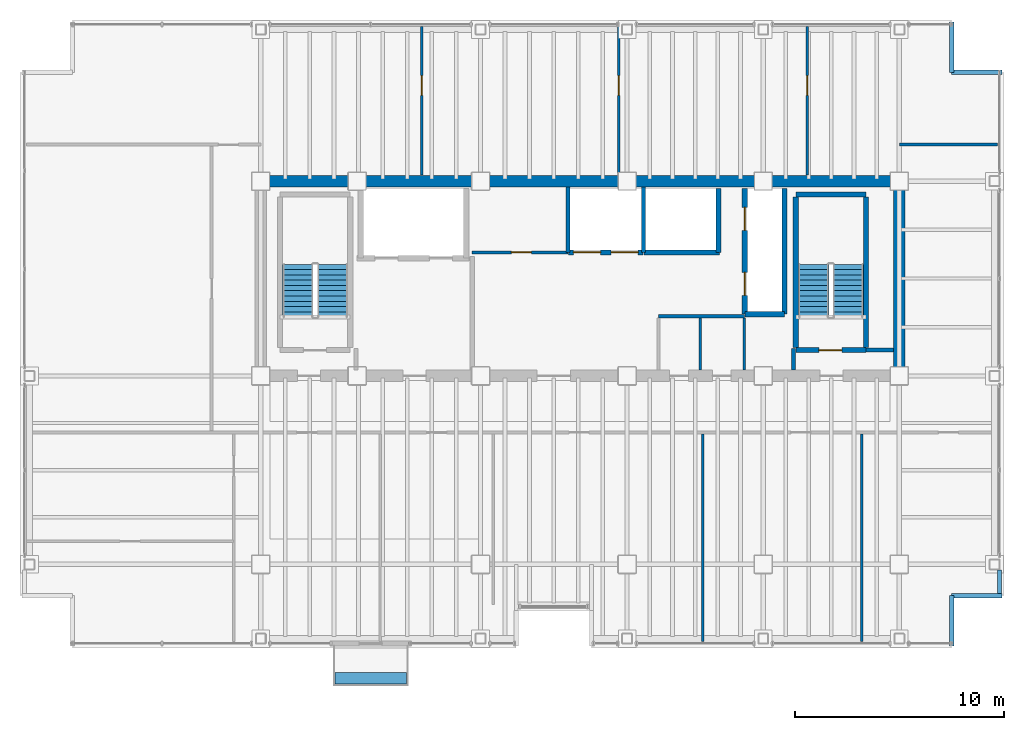
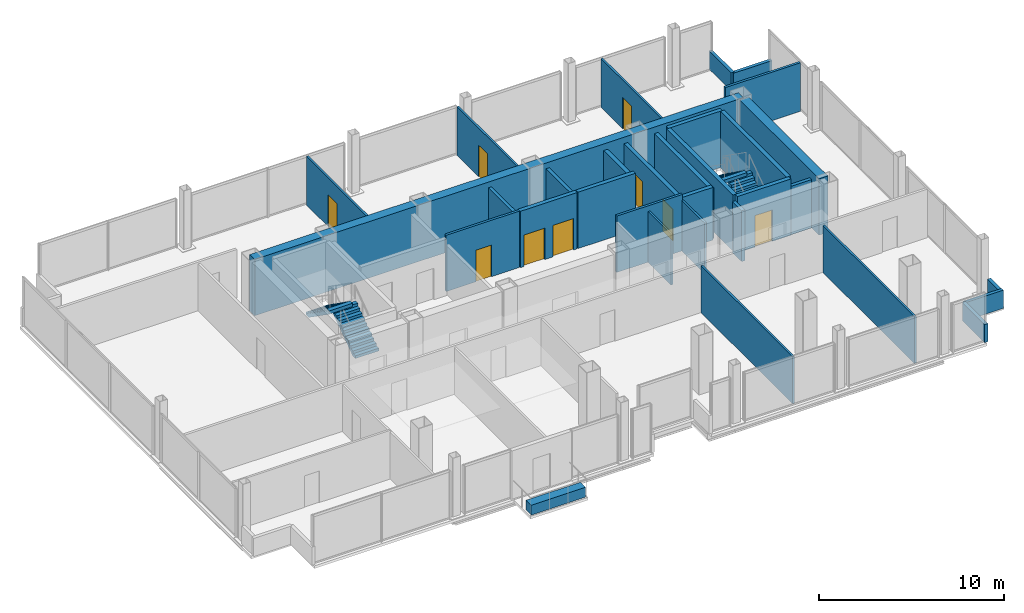
# One storey, part 17 of 18: 31 walls, 9 doors, 4 stair flights, 1 discrete accessory, 9 openings, 2 elements without a shape of their own.
"""IFC4 building model written with IfcOpenShell, lengths in metres."""

from ifc_helpers import new_model, si_unit, direction, frame, frame_2d, origin, origin_2d, place, context, subcontext, project, spatial, polyline, rectangle, outline, extrude, material, layer, layer_set, type_object, element, fill, aggregate, save


model = new_model("IFC4")

# Units and contexts
model_context = context("Model", 3, precision=1e-05, world=origin(), true_north=direction((0.0, 1.0)))
body_context = subcontext(model_context, "Body", "Model", "MODEL_VIEW")
ifc_project = project(units=[si_unit("LENGTHUNIT", "METRE"), si_unit("AREAUNIT", "SQUARE_METRE"), si_unit("VOLUMEUNIT", "CUBIC_METRE"), si_unit("PLANEANGLEUNIT", "RADIAN"), si_unit("MASSUNIT", "GRAM", prefix="KILO")], contexts=[model_context])

# Site, building, storey
site_placement = place(None, origin())
site = spatial("IfcSite", under=ifc_project, at=site_placement, CompositionType="ELEMENT")
building_placement = place(site_placement, origin())
building = spatial("IfcBuilding", under=site, at=building_placement, Name="Noeulbin Bourse Tower", CompositionType="ELEMENT")
storey_placement = place(building_placement, frame((0.0, 0.0, 161.699951171875)))
storey = spatial("IfcBuildingStorey", under=building, at=storey_placement, Name="L40", CompositionType="ELEMENT", Elevation=161.699951171875)

# Walls
ifc_material_1 = material(Name="Concrete C60/75", Category="concrete")
ifc_layer_1 = layer(ifc_material_1, 0.550048828125)
ifc_layer_set_1 = layer_set([ifc_layer_1], Name="Concrete C60/75")
wall_type_1 = type_object("IfcWallType", Name="WAL-CORE-550", PredefinedType="SHEAR", material=ifc_layer_set_1)
wall_1_placement = place(storey_placement, frame((13.5, 38.300048828125, 0.0), z_axis=(0.0, 0.0, 1.0), x_axis=(1.0, 0.0, 0.0)))
element("IfcWall", 1, at=wall_1_placement, inside=storey, type_object=wall_type_1, Name="Rear Core North Shear Wall L40", PredefinedType="SHEAR", context=body_context, shape_type="SweptSolid", body=[
    extrude(rectangle(XDim=30.5, YDim=0.550048828125, at=frame_2d((15.25, 0.0))), origin(), (0.0, 0.0, 1.0), 3.719970703125),
])
wall_2_placement = place(storey_placement, frame((44.0, 29.35009765625, 0.0), z_axis=(0.0, 0.0, 1.0), x_axis=(0.0, 1.0, 0.0)))
element("IfcWall", 2, at=wall_2_placement, inside=storey, type_object=wall_type_1, Name="Rear Core East Shear Wall L40", PredefinedType="SHEAR", context=body_context, shape_type="SweptSolid", body=[
    extrude(rectangle(XDim=8.599853515625, YDim=0.550048828125, at=frame_2d((4.2998046875, 0.0))), origin(), (0.0, 0.0, 1.0), 3.719970703125),
])
ifc_material_2 = material(Name="Concrete C40/50", Category="concrete")
ifc_layer_2 = layer(ifc_material_2, 0.199951171875)
ifc_layer_set_2 = layer_set([ifc_layer_2], Name="Concrete C40/50")
wall_type_2 = type_object("IfcWallType", Name="WAL-FIRE-200", PredefinedType="STANDARD", material=ifc_layer_set_2)
wall_3_placement = place(storey_placement, frame((42.39990234375, 30.239990234375, 0.0), z_axis=(0.0, 0.0, 1.0), x_axis=(1.0, 0.0, 0.0)))
element("IfcWall", 3, at=wall_3_placement, inside=storey, type_object=wall_type_2, Name="Interior Partition Wall L40-01", PredefinedType="STANDARD", context=body_context, shape_type="SweptSolid", body=[
    extrude(rectangle(XDim=1.315185546875, YDim=0.199951171875, at=frame_2d((0.65771484375, 0.0))), origin(), (0.0, 0.0, 1.0), 3.199951171875),
])
wall_4_placement = place(storey_placement, frame((38.949951171875, 29.284912109375, 0.0), z_axis=(0.0, 0.0, 1.0), x_axis=(0.0, 1.0, 0.0)))
element("IfcWall", 4, at=wall_4_placement, inside=storey, type_object=wall_type_2, Name="Interior Partition Wall L40-09", PredefinedType="STANDARD", context=body_context, shape_type="SweptSolid", body=[
    extrude(rectangle(XDim=1.01513671875, YDim=0.199951171875, at=frame_2d((0.507568359375, 0.0))), origin(), (0.0, 0.0, 1.0), 3.35009765625),
])
ifc_layer_3 = layer(ifc_material_2, 0.199951171875)
ifc_layer_set_3 = layer_set([ifc_layer_3], Name="Concrete C40/50")
wall_type_3 = type_object("IfcWallType", Name="WAL-PAR-200", PredefinedType="PARAPET", material=ifc_layer_set_3)
wall_5_placement = place(storey_placement, frame((48.780029296875, 18.60009765625, 0.0), z_axis=(0.0, 0.0, 1.0), x_axis=(0.0, 1.0, 0.0)))
element("IfcWall", 5, at=wall_5_placement, inside=storey, type_object=wall_type_3, Name="Perimeter Pier Spandrel Parapet L40-E2", PredefinedType="PARAPET", context=body_context, shape_type="SweptSolid", body=[
    extrude(rectangle(XDim=1.1298828125, YDim=0.199951171875, at=frame_2d((0.56494140625, 0.0))), origin(), (0.0, 0.0, 1.0), 1.199951171875),
])
for number, where, z_axis, x_axis, name in (
    (6, (46.5, 16.10009765625, 0.0), (0.0, 0.0, 1.0), (0.0, 1.0, 0.0), "Corner Notch Parapet L40-SE1"),
    (7, (46.5, 18.5, 0.0), (0.0, 0.0, 1.0), (1.0, 0.0, 0.0), "Corner Notch Parapet L40-SE2"),
    (8, (46.5, 45.89990234375, 0.0), (0.0, 0.0, 1.0), (0.0, -1.0, 0.0), "Corner Notch Parapet L40-NE1"),
    (9, (46.5, 43.5, 0.0), (0.0, 0.0, 1.0), (1.0, 0.0, 0.0), "Corner Notch Parapet L40-NE2"),
):
    element("IfcWall", number, at=place(storey_placement, frame(where, z_axis=z_axis, x_axis=x_axis)), inside=storey, type_object=wall_type_3, Name=name, PredefinedType="PARAPET", context=body_context, shape_type="SweptSolid", body=[
        extrude(rectangle(XDim=2.39990234375, YDim=0.199951171875, at=frame_2d((1.199951171875, 0.0))), origin(), (0.0, 0.0, 1.0), 1.199951171875),
    ])
ifc_material_3 = material(Name="Steel Stud Gypsum Partition", Category="steel")
ifc_layer_4 = layer(ifc_material_3, 0.1201171875)
ifc_layer_set_4 = layer_set([ifc_layer_4], Name="Steel Stud Gypsum Partition")
wall_type_4 = type_object("IfcWallType", Name="WAL-PRT-120", PredefinedType="PARTITIONING", material=ifc_layer_set_4)
for number, where, z_axis, x_axis, name in (
    (10, (36.60009765625, 29.284912109375, 0.0), (0.0, 0.0, 1.0), (0.0, 1.0, 0.0), "Interior Partition Wall L40-12"),
    (11, (34.5, 29.284912109375, 0.0), (0.0, 0.0, 1.0), (0.0, 1.0, 0.0), "Interior Partition Wall L40-13"),
):
    element("IfcWall", number, at=place(storey_placement, frame(where, z_axis=z_axis, x_axis=x_axis)), inside=storey, type_object=wall_type_4, Name=name, PredefinedType="PARTITIONING", context=body_context, shape_type="SweptSolid", body=[
        extrude(rectangle(XDim=2.47998046875, YDim=0.1201171875, at=frame_2d((1.239990234375, 0.0))), origin(), (0.0, 0.0, 1.0), 3.35009765625),
    ])
for number, where, z_axis, x_axis, name in (
    (12, (34.60009765625, 16.31005859375, 0.0), (0.0, 0.0, 1.0), (0.0, 1.0, 0.0), "Interior Partition Wall L40-18"),
    (13, (42.199951171875, 16.31005859375, 0.0), (0.0, 0.0, 1.0), (0.0, 1.0, 0.0), "Interior Partition Wall L40-19"),
):
    element("IfcWall", number, at=place(storey_placement, frame(where, z_axis=z_axis, x_axis=x_axis)), inside=storey, type_object=wall_type_4, Name=name, PredefinedType="PARTITIONING", context=body_context, shape_type="SweptSolid", body=[
        extrude(rectangle(XDim=9.905029296875, YDim=0.1201171875, at=frame_2d((4.95263671875, 0.0))), origin(), (0.0, 0.0, 1.0), 3.10009765625),
    ])

# Wall, opening, door
wall_6_placement = place(storey_placement, frame((21.199951171875, 38.5849609375, 0.0), z_axis=(0.0, 0.0, 1.0), x_axis=(0.0, 1.0, 0.0)))
wall_6 = element("IfcWall", 14, at=wall_6_placement, inside=storey, type_object=wall_type_4, Name="Interior Partition Wall L40-20", PredefinedType="PARTITIONING", context=body_context, shape_type="SweptSolid", body=[
    extrude(rectangle(XDim=7.10498046875, YDim=0.1201171875, at=frame_2d((3.552490234375, 0.0))), origin(), (0.0, 0.0, 1.0), 3.212158203125),
])
opening_1_placement = place(wall_6_placement, frame((3.81005859375, 0.0, 0.0)))
opening_1 = element("IfcOpeningElement", 15, at=opening_1_placement, cuts=wall_6, Name="Opening ID-09", PredefinedType="OPENING", context=body_context, shape_type="SweptSolid", body=[
    extrude(rectangle(XDim=0.949951171875, YDim=2.080078125, at=frame_2d((0.47509765625, 1.0400390625))), frame((0.0, 0.070068359375, 0.0), z_axis=(0.0, -1.0, 0.0), x_axis=(1.0, 0.0, 0.0)), (0.0, 0.0, 1.0), 0.14013671875),
])
ifc_material_4 = material(Name="Acoustic Solid-Core Timber", Category="wood")
door_type_1 = type_object("IfcDoorType", Name="DR-SINGLE-950", OperationType="SINGLE_SWING_LEFT", PredefinedType="DOOR", material=ifc_material_4)
door_1_placement = place(opening_1_placement, origin())
door_1 = element("IfcDoor", 16, at=door_1_placement, inside=storey, type_object=door_type_1, Name="Interior Door L40-17", OperationType="SINGLE_SWING_RIGHT", OverallHeight=2.080078125, OverallWidth=0.949951171875, PredefinedType="DOOR", context=body_context, shape_type="SweptSolid", body=[
    extrude(rectangle(XDim=0.949951171875, YDim=2.080078125, at=frame_2d((0.47509765625, 1.0400390625))), frame((0.0, 0.02490234375, 0.0), z_axis=(0.0, -1.0, 0.0), x_axis=(1.0, 0.0, 0.0)), (0.0, 0.0, 1.0), 0.050048828125),
])
fill(opening_1, door_1)

wall_7_placement = place(storey_placement, frame((30.60009765625, 38.5849609375, 0.0), z_axis=(0.0, 0.0, 1.0), x_axis=(0.0, 1.0, 0.0)))
wall_7 = element("IfcWall", 17, at=wall_7_placement, inside=storey, type_object=wall_type_4, Name="Interior Partition Wall L40-21", PredefinedType="PARTITIONING", context=body_context, shape_type="SweptSolid", body=[
    extrude(rectangle(XDim=7.10498046875, YDim=0.1201171875, at=frame_2d((3.552490234375, 0.0))), origin(), (0.0, 0.0, 1.0), 3.199951171875),
])
opening_2_placement = place(wall_7_placement, frame((3.81005859375, 0.0, 0.0)))
opening_2 = element("IfcOpeningElement", 18, at=opening_2_placement, cuts=wall_7, Name="Opening ID-09", PredefinedType="OPENING", context=body_context, shape_type="SweptSolid", body=[
    extrude(rectangle(XDim=0.949951171875, YDim=2.080078125, at=frame_2d((0.47509765625, 1.0400390625))), frame((0.0, 0.070068359375, 0.0), z_axis=(0.0, -1.0, 0.0), x_axis=(1.0, 0.0, 0.0)), (0.0, 0.0, 1.0), 0.14013671875),
])
door_2_placement = place(opening_2_placement, origin())
door_2 = element("IfcDoor", 19, at=door_2_placement, inside=storey, type_object=door_type_1, Name="Interior Door L40-18", OperationType="SINGLE_SWING_LEFT", OverallHeight=2.080078125, OverallWidth=0.949951171875, PredefinedType="DOOR", context=body_context, shape_type="SweptSolid", body=[
    extrude(rectangle(XDim=0.949951171875, YDim=2.080078125, at=frame_2d((0.47509765625, 1.0400390625))), frame((0.0, 0.02490234375, 0.0), z_axis=(0.0, -1.0, 0.0), x_axis=(1.0, 0.0, 0.0)), (0.0, 0.0, 1.0), 0.050048828125),
])
fill(opening_2, door_2)

wall_8_placement = place(storey_placement, frame((39.60009765625, 38.5849609375, 0.0), z_axis=(0.0, 0.0, 1.0), x_axis=(0.0, 1.0, 0.0)))
wall_8 = element("IfcWall", 20, at=wall_8_placement, inside=storey, type_object=wall_type_4, Name="Interior Partition Wall L40-22", PredefinedType="PARTITIONING", context=body_context, shape_type="SweptSolid", body=[
    extrude(rectangle(XDim=7.10498046875, YDim=0.1201171875, at=frame_2d((3.552490234375, 0.0))), origin(), (0.0, 0.0, 1.0), 3.212158203125),
])
opening_3_placement = place(wall_8_placement, frame((3.81005859375, 0.0, 0.0)))
opening_3 = element("IfcOpeningElement", 21, at=opening_3_placement, cuts=wall_8, Name="Opening ID-09", PredefinedType="OPENING", context=body_context, shape_type="SweptSolid", body=[
    extrude(rectangle(XDim=0.949951171875, YDim=2.080078125, at=frame_2d((0.47509765625, 1.0400390625))), frame((0.0, 0.070068359375, 0.0), z_axis=(0.0, -1.0, 0.0), x_axis=(1.0, 0.0, 0.0)), (0.0, 0.0, 1.0), 0.14013671875),
])
door_3_placement = place(opening_3_placement, origin())
door_3 = element("IfcDoor", 22, at=door_3_placement, inside=storey, type_object=door_type_1, Name="Interior Door L40-19", OperationType="SINGLE_SWING_RIGHT", OverallHeight=2.080078125, OverallWidth=0.949951171875, PredefinedType="DOOR", context=body_context, shape_type="SweptSolid", body=[
    extrude(rectangle(XDim=0.949951171875, YDim=2.080078125, at=frame_2d((0.47509765625, 1.0400390625))), frame((0.0, 0.02490234375, 0.0), z_axis=(0.0, -1.0, 0.0), x_axis=(1.0, 0.0, 0.0)), (0.0, 0.0, 1.0), 0.050048828125),
])
fill(opening_3, door_3)

ifc_material_5 = material(Name="Steel Stud Acoustic Gypsum Board", Category="steel")
ifc_layer_5 = layer(ifc_material_5, 0.14990234375)
ifc_layer_set_5 = layer_set([ifc_layer_5], Name="Steel Stud Acoustic Gypsum Board")
wall_type_5 = type_object("IfcWallType", Name="WAL-PRT-150", PredefinedType="PARTITIONING", material=ifc_layer_set_5)
wall_9_placement = place(storey_placement, frame((23.60009765625, 34.89990234375, 0.0), z_axis=(0.0, 0.0, 1.0), x_axis=(1.0, 0.0, 0.0)))
wall_9 = element("IfcWall", 23, at=wall_9_placement, inside=storey, type_object=wall_type_5, Name="Interior Partition Wall L40-02", PredefinedType="PARTITIONING", context=body_context, shape_type="SweptSolid", body=[
    extrude(rectangle(XDim=4.579833984375, YDim=0.14990234375, at=frame_2d((2.2900390625, 0.0))), origin(), (0.0, 0.0, 1.0), 3.719970703125),
])
opening_4_placement = place(wall_9_placement, frame((1.875, 0.0, 0.0)))
opening_4 = element("IfcOpeningElement", 24, at=opening_4_placement, cuts=wall_9, Name="Opening ID-09", PredefinedType="OPENING", context=body_context, shape_type="SweptSolid", body=[
    extrude(rectangle(XDim=0.949951171875, YDim=2.080078125, at=frame_2d((0.47509765625, 1.0400390625))), frame((0.0, 0.0849609375, 0.0), z_axis=(0.0, -1.0, 0.0), x_axis=(1.0, 0.0, 0.0)), (0.0, 0.0, 1.0), 0.169921875),
])
door_4_placement = place(opening_4_placement, origin())
door_4 = element("IfcDoor", 25, at=door_4_placement, inside=storey, type_object=door_type_1, Name="Archive Room Door L40", OperationType="SINGLE_SWING_RIGHT", OverallHeight=2.080078125, OverallWidth=0.949951171875, PredefinedType="DOOR", context=body_context, shape_type="SweptSolid", body=[
    extrude(rectangle(XDim=0.949951171875, YDim=2.080078125, at=frame_2d((0.47509765625, 1.0400390625))), frame((0.0, 0.02490234375, 0.0), z_axis=(0.0, -1.0, 0.0), x_axis=(1.0, 0.0, 0.0)), (0.0, 0.0, 1.0), 0.050048828125),
])
fill(opening_4, door_4)

# Walls
wall_10_placement = place(storey_placement, frame((32.5, 31.85009765625, 0.0), z_axis=(0.0, 0.0, 1.0), x_axis=(1.0, 0.0, 0.0)))
element("IfcWall", 26, at=wall_10_placement, inside=storey, type_object=wall_type_5, Name="Interior Partition Wall L40-03", PredefinedType="PARTITIONING", context=body_context, shape_type="SweptSolid", body=[
    extrude(rectangle(XDim=4.10009765625, YDim=0.14990234375, at=frame_2d((2.050048828125, 0.0))), origin(), (0.0, 0.0, 1.0), 3.719970703125),
])
wall_11_placement = place(storey_placement, frame((44.0, 40.050048828125, 0.0), z_axis=(0.0, 0.0, 1.0), x_axis=(1.0, 0.0, 0.0)))
element("IfcWall", 27, at=wall_11_placement, inside=storey, type_object=wall_type_5, Name="Interior Partition Wall L40-07", PredefinedType="PARTITIONING", context=body_context, shape_type="SweptSolid", body=[
    extrude(rectangle(XDim=4.68994140625, YDim=0.14990234375, at=frame_2d((2.344970703125, 0.0))), origin(), (0.0, 0.0, 1.0), 3.199951171875),
])

# Wall, opening, door
ifc_layer_6 = layer(ifc_material_2, 0.25)
ifc_layer_set_6 = layer_set([ifc_layer_6], Name="Concrete C40/50")
wall_type_6 = type_object("IfcWallType", Name="WAL-SHFT-250", PredefinedType="STANDARD", material=ifc_layer_set_6)
wall_12_placement = place(storey_placement, frame((39.06005859375, 30.235107421875, 0.0), z_axis=(0.0, 0.0, 1.0), x_axis=(1.0, 0.0, 0.0)))
wall_12 = element("IfcWall", 28, at=wall_12_placement, inside=storey, type_object=wall_type_6, Name="Stair ST-2 South Shaft Wall L40", PredefinedType="STANDARD", context=body_context, shape_type="SweptSolid", body=[
    extrude(rectangle(XDim=3.33984375, YDim=0.25, at=frame_2d((1.669921875, 0.0))), origin(), (0.0, 0.0, 1.0), 3.719970703125),
])
opening_5_placement = place(wall_12_placement, frame((1.10009765625, 0.0, 0.0)))
opening_5 = element("IfcOpeningElement", 29, at=opening_5_placement, cuts=wall_12, Name="Opening FD-11", PredefinedType="OPENING", context=body_context, shape_type="SweptSolid", body=[
    extrude(rectangle(XDim=1.10009765625, YDim=2.080078125, at=frame_2d((0.550048828125, 1.0400390625))), frame((0.0, 0.135009765625, 0.0), z_axis=(0.0, -1.0, 0.0), x_axis=(1.0, 0.0, 0.0)), (0.0, 0.0, 1.0), 0.27001953125),
])
ifc_material_6 = material(Name="Fire-Rated Insulated Steel", Category="steel")
door_type_2 = type_object("IfcDoorType", Name="DR-FD60-1100", OperationType="SINGLE_SWING_LEFT", PredefinedType="DOOR", material=ifc_material_6)
door_5_placement = place(opening_5_placement, origin())
door_5 = element("IfcDoor", 30, at=door_5_placement, inside=storey, type_object=door_type_2, Name="Protected Stair Entry Door ST2-L40", OperationType="SINGLE_SWING_LEFT", OverallHeight=2.080078125, OverallWidth=1.10009765625, PredefinedType="DOOR", context=body_context, shape_type="SweptSolid", body=[
    extrude(rectangle(XDim=1.10009765625, YDim=2.080078125, at=frame_2d((0.550048828125, 1.0400390625))), frame((0.0, 0.02490234375, 0.0), z_axis=(0.0, -1.0, 0.0), x_axis=(1.0, 0.0, 0.0)), (0.0, 0.0, 1.0), 0.050048828125),
])
fill(opening_5, door_5)

# Walls
wall_13_placement = place(storey_placement, frame((39.06005859375, 37.6689453125, 0.0), z_axis=(0.0, 0.0, 1.0), x_axis=(1.0, 0.0, 0.0)))
element("IfcWall", 31, at=wall_13_placement, inside=storey, type_object=wall_type_6, Name="Stair ST-2 North Shaft Wall L40", PredefinedType="STANDARD", context=body_context, shape_type="SweptSolid", body=[
    extrude(rectangle(XDim=3.33984375, YDim=0.25, at=frame_2d((1.669921875, 0.0))), origin(), (0.0, 0.0, 1.0), 3.719970703125),
])
for number, where, z_axis, x_axis, name in (
    (32, (39.054931640625, 30.360107421875, 0.0), (0.0, 0.0, 1.0), (0.0, 1.0, 0.0), "Stair ST-2 West Shaft Wall L40"),
    (33, (42.405029296875, 30.360107421875, 0.0), (0.0, 0.0, 1.0), (0.0, 1.0, 0.0), "Stair ST-2 East Shaft Wall L40"),
):
    element("IfcWall", number, at=place(storey_placement, frame(where, z_axis=z_axis, x_axis=x_axis)), inside=storey, type_object=wall_type_6, Name=name, PredefinedType="STANDARD", context=body_context, shape_type="SweptSolid", body=[
        extrude(rectangle(XDim=7.183837890625, YDim=0.25, at=frame_2d((3.591796875, 0.0))), origin(), (0.0, 0.0, 1.0), 3.719970703125),
    ])

# Wall, openings, doors
wall_14_placement = place(storey_placement, frame((36.6201171875, 31.949951171875, 0.0), z_axis=(0.0, 0.0, 1.0), x_axis=(0.0, 1.0, 0.0)))
wall_14 = element("IfcWall", 34, at=wall_14_placement, inside=storey, type_object=wall_type_6, Name="Service Lift Shaft Wall L40", PredefinedType="STANDARD", context=body_context, shape_type="SweptSolid", body=[
    extrude(rectangle(XDim=6.0, YDim=0.25, at=frame_2d((3.0, 0.0))), origin(), (0.0, 0.0, 1.0), 3.35009765625),
])
opening_6_placement = place(wall_14_placement, frame((0.89990234375, 0.0, 0.0)))
opening_6 = element("IfcOpeningElement", 35, at=opening_6_placement, cuts=wall_14, Name="Opening LD-11", PredefinedType="OPENING", context=body_context, shape_type="SweptSolid", body=[
    extrude(rectangle(XDim=1.10009765625, YDim=2.080078125, at=frame_2d((0.550048828125, 1.0400390625))), frame((0.0, 0.135009765625, 0.0), z_axis=(0.0, -1.0, 0.0), x_axis=(1.0, 0.0, 0.0)), (0.0, 0.0, 1.0), 0.27001953125),
])
opening_7_placement = place(wall_14_placement, frame((4.0, 0.0, 0.0)))
opening_7 = element("IfcOpeningElement", 36, at=opening_7_placement, cuts=wall_14, Name="Opening LD-11", PredefinedType="OPENING", context=body_context, shape_type="SweptSolid", body=[
    extrude(rectangle(XDim=1.10009765625, YDim=2.080078125, at=frame_2d((0.550048828125, 1.0400390625))), frame((0.0, 0.135009765625, 0.0), z_axis=(0.0, -1.0, 0.0), x_axis=(1.0, 0.0, 0.0)), (0.0, 0.0, 1.0), 0.27001953125),
])
ifc_material_7 = material(Name="Brushed Stainless Steel 316", Category="steel")
door_type_3 = type_object("IfcDoorType", Name="DR-LIFT-1100", OperationType="SLIDING_TO_LEFT", PredefinedType="DOOR", material=ifc_material_7)
door_6_placement = place(opening_6_placement, origin())
door_6 = element("IfcDoor", 37, at=door_6_placement, inside=storey, type_object=door_type_3, Name="Lift Landing Door LD-EL-01-L40", OperationType="SLIDING_TO_LEFT", OverallHeight=2.080078125, OverallWidth=1.10009765625, PredefinedType="DOOR", context=body_context, shape_type="SweptSolid", body=[
    extrude(rectangle(XDim=1.10009765625, YDim=2.080078125, at=frame_2d((0.550048828125, 1.0400390625))), frame((0.0, 0.02490234375, 0.0), z_axis=(0.0, -1.0, 0.0), x_axis=(1.0, 0.0, 0.0)), (0.0, 0.0, 1.0), 0.050048828125),
])
fill(opening_6, door_6)
door_7_placement = place(opening_7_placement, origin())
door_7 = element("IfcDoor", 38, at=door_7_placement, inside=storey, type_object=door_type_3, Name="Lift Landing Door LD-SV-01-L40", OperationType="SLIDING_TO_LEFT", OverallHeight=2.080078125, OverallWidth=1.10009765625, PredefinedType="DOOR", context=body_context, shape_type="SweptSolid", body=[
    extrude(rectangle(XDim=1.10009765625, YDim=2.080078125, at=frame_2d((0.550048828125, 1.0400390625))), frame((0.0, 0.02490234375, 0.0), z_axis=(0.0, -1.0, 0.0), x_axis=(1.0, 0.0, 0.0)), (0.0, 0.0, 1.0), 0.050048828125),
])
fill(opening_7, door_7)

# Walls
wall_15_placement = place(storey_placement, frame((38.52001953125, 31.949951171875, 0.0), z_axis=(0.0, 0.0, 1.0), x_axis=(0.0, 1.0, 0.0)))
element("IfcWall", 39, at=wall_15_placement, inside=storey, type_object=wall_type_6, Name="Service Lift East Shaft Wall L40", PredefinedType="STANDARD", context=body_context, shape_type="SweptSolid", body=[
    extrude(rectangle(XDim=6.0, YDim=0.25, at=frame_2d((3.0, 0.0))), origin(), (0.0, 0.0, 1.0), 3.35009765625),
])
wall_16_placement = place(storey_placement, frame((36.6201171875, 31.949951171875, 0.0), z_axis=(0.0, 0.0, 1.0), x_axis=(1.0, 0.0, 0.0)))
element("IfcWall", 40, at=wall_16_placement, inside=storey, type_object=wall_type_6, Name="Service Lift South Shaft Wall L40", PredefinedType="STANDARD", context=body_context, shape_type="SweptSolid", body=[
    extrude(rectangle(XDim=1.89990234375, YDim=0.25, at=frame_2d((0.949951171875, 0.0))), origin(), (0.0, 0.0, 1.0), 3.47998046875),
])
wall_17_placement = place(storey_placement, frame((35.360107421875, 34.89990234375, 0.0), z_axis=(0.0, 0.0, 1.0), x_axis=(0.0, 1.0, 0.0)))
element("IfcWall", 41, at=wall_17_placement, inside=storey, type_object=wall_type_6, Name="High-Rise Lift East Shaft Wall L40", PredefinedType="STANDARD", context=body_context, shape_type="SweptSolid", body=[
    extrude(rectangle(XDim=3.050048828125, YDim=0.25, at=frame_2d((1.52490234375, 0.0))), origin(), (0.0, 0.0, 1.0), 3.35009765625),
])

# Wall, openings, doors
wall_18_placement = place(storey_placement, frame((28.199951171875, 34.89990234375, 0.0), z_axis=(0.0, 0.0, 1.0), x_axis=(1.0, 0.0, 0.0)))
wall_18 = element("IfcWall", 42, at=wall_18_placement, inside=storey, type_object=wall_type_6, Name="Mid-Rise Lift Bank Front L40", PredefinedType="STANDARD", context=body_context, shape_type="SweptSolid", body=[
    extrude(rectangle(XDim=3.550048828125, YDim=0.25, at=frame_2d((1.77490234375, 0.0))), origin(), (0.0, 0.0, 1.0), 3.719970703125),
])
opening_8_placement = place(wall_18_placement, frame((0.22998046875, 0.0, 0.0)))
opening_8 = element("IfcOpeningElement", 43, at=opening_8_placement, cuts=wall_18, Name="Opening LD-13", PredefinedType="OPENING", context=body_context, shape_type="SweptSolid", body=[
    extrude(rectangle(XDim=1.300048828125, YDim=2.080078125, at=frame_2d((0.64990234375, 1.0400390625))), frame((0.0, 0.135009765625, 0.0), z_axis=(0.0, -1.0, 0.0), x_axis=(1.0, 0.0, 0.0)), (0.0, 0.0, 1.0), 0.27001953125),
])
opening_9_placement = place(wall_18_placement, frame((2.030029296875, 0.0, 0.0)))
opening_9 = element("IfcOpeningElement", 44, at=opening_9_placement, cuts=wall_18, Name="Opening LD-13", PredefinedType="OPENING", context=body_context, shape_type="SweptSolid", body=[
    extrude(rectangle(XDim=1.300048828125, YDim=2.080078125, at=frame_2d((0.64990234375, 1.0400390625))), frame((0.0, 0.135009765625, 0.0), z_axis=(0.0, -1.0, 0.0), x_axis=(1.0, 0.0, 0.0)), (0.0, 0.0, 1.0), 0.27001953125),
])
door_type_4 = type_object("IfcDoorType", Name="DR-LIFT-1300", OperationType="DOUBLE_DOOR_SLIDING", PredefinedType="DOOR", material=ifc_material_7)
door_8_placement = place(opening_8_placement, origin())
door_8 = element("IfcDoor", 45, at=door_8_placement, inside=storey, type_object=door_type_4, Name="Lift Landing Door LD-PL-M1-L40", OperationType="DOUBLE_DOOR_SLIDING", OverallHeight=2.080078125, OverallWidth=1.300048828125, PredefinedType="DOOR", context=body_context, shape_type="SweptSolid", body=[
    extrude(rectangle(XDim=1.300048828125, YDim=2.080078125, at=frame_2d((0.64990234375, 1.0400390625))), frame((0.0, 0.02490234375, 0.0), z_axis=(0.0, -1.0, 0.0), x_axis=(1.0, 0.0, 0.0)), (0.0, 0.0, 1.0), 0.050048828125),
])
fill(opening_8, door_8)
door_9_placement = place(opening_9_placement, origin())
door_9 = element("IfcDoor", 46, at=door_9_placement, inside=storey, type_object=door_type_4, Name="Lift Landing Door LD-PL-M2-L40", OperationType="DOUBLE_DOOR_SLIDING", OverallHeight=2.080078125, OverallWidth=1.300048828125, PredefinedType="DOOR", context=body_context, shape_type="SweptSolid", body=[
    extrude(rectangle(XDim=1.300048828125, YDim=2.080078125, at=frame_2d((0.64990234375, 1.0400390625))), frame((0.0, 0.02490234375, 0.0), z_axis=(0.0, -1.0, 0.0), x_axis=(1.0, 0.0, 0.0)), (0.0, 0.0, 1.0), 0.050048828125),
])
fill(opening_9, door_9)

# Walls
wall_19_placement = place(storey_placement, frame((31.800048828125, 34.89990234375, 0.0), z_axis=(0.0, 0.0, 1.0), x_axis=(1.0, 0.0, 0.0)))
element("IfcWall", 47, at=wall_19_placement, inside=storey, type_object=wall_type_6, Name="High-Rise Lift Bank Front L40", PredefinedType="STANDARD", context=body_context, shape_type="SweptSolid", body=[
    extrude(rectangle(XDim=3.599853515625, YDim=0.25, at=frame_2d((1.7998046875, 0.0))), origin(), (0.0, 0.0, 1.0), 3.719970703125),
])
for number, where, z_axis, x_axis, name in (
    (48, (28.179931640625, 34.89990234375, 0.0), (0.0, 0.0, 1.0), (0.0, 1.0, 0.0), "Hoistway Side Shaft Wall L40-PLMW"),
    (49, (31.780029296875, 34.89990234375, 0.0), (0.0, 0.0, 1.0), (0.0, 1.0, 0.0), "Hoistway Side Shaft Wall L40-PLHW"),
):
    element("IfcWall", number, at=place(storey_placement, frame(where, z_axis=z_axis, x_axis=x_axis)), inside=storey, type_object=wall_type_6, Name=name, PredefinedType="STANDARD", context=body_context, shape_type="SweptSolid", body=[
        extrude(rectangle(XDim=3.1201171875, YDim=0.199951171875, at=frame_2d((1.56005859375, 0.0))), origin(), (0.0, 0.0, 1.0), 3.35009765625),
    ])

# Stair, stair flights
stair_type = type_object("IfcStairType", Name="STR-CORE-1560", PredefinedType="HALF_TURN_STAIR", material=ifc_material_2)
stair_1_placement = place(storey_placement, origin())
stair_1 = element("IfcStair", 50, at=stair_1_placement, inside=storey, type_object=stair_type, Name="L40 ST-1", PredefinedType="HALF_TURN_STAIR")
stair_flight_type = type_object("IfcStairFlightType", Name="SFL-CORE-1560", PredefinedType="STRAIGHT", material=ifc_material_2)
stair_flight_1_placement = place(storey_placement, frame((16.925048828125, 31.81005859375, 0.0), z_axis=(0.0, 0.0, 1.0), x_axis=(0.0, 1.0, 0.0)))
stair_flight_1 = element("IfcStairFlight", 51, at=stair_flight_1_placement, type_object=stair_flight_type, Name="ST-1 flight 1", NumberOfRisers=11, NumberOfTreads=10, PredefinedType="STRAIGHT", RiserHeight=0.177272727, TreadLength=0.252, context=body_context, shape_type="SweptSolid", body=[
    extrude(outline(polyline([(0.0, 0.0), (0.0, 0.17724609375), (0.251953125, 0.17724609375), (0.251953125, 0.3544921875), (0.50390625, 0.3544921875), (0.50390625, 0.53173828125), (0.756103515625, 0.53173828125), (0.756103515625, 0.708984375), (1.008056640625, 0.708984375), (1.008056640625, 0.886474609375), (1.260009765625, 0.886474609375), (1.260009765625, 1.063720703125), (1.511962890625, 1.063720703125), (1.511962890625, 1.240966796875), (1.763916015625, 1.240966796875), (1.763916015625, 1.418212890625), (2.01611328125, 1.418212890625), (2.01611328125, 1.595458984375), (2.26806640625, 1.595458984375), (2.26806640625, 1.772705078125), (2.52001953125, 1.772705078125), (2.52001953125, 1.949951171875), (2.52001953125, 1.552734375), (0.312744140625, 0.0), (0.0, 0.0)])), frame((0.0, 0.72509765625, 0.0), z_axis=(0.0, -1.0, 0.0), x_axis=(1.0, 0.0, 0.0)), (0.0, 0.0, 1.0), 1.449951171875),
])
stair_flight_2_placement = place(storey_placement, frame((15.27490234375, 34.330078125, 1.949951171875), z_axis=(0.0, 0.0, 1.0), x_axis=(0.0, -1.0, 0.0)))
stair_flight_2 = element("IfcStairFlight", 52, at=stair_flight_2_placement, type_object=stair_flight_type, Name="ST-1 flight 2", NumberOfRisers=11, NumberOfTreads=10, PredefinedType="STRAIGHT", RiserHeight=0.177272727, TreadLength=0.252, context=body_context, shape_type="SweptSolid", body=[
    extrude(outline(polyline([(0.0, 0.0), (0.0, 0.17724609375), (0.251953125, 0.17724609375), (0.251953125, 0.3544921875), (0.50390625, 0.3544921875), (0.50390625, 0.53173828125), (0.756103515625, 0.53173828125), (0.756103515625, 0.708984375), (1.008056640625, 0.708984375), (1.008056640625, 0.886474609375), (1.260009765625, 0.886474609375), (1.260009765625, 1.063720703125), (1.511962890625, 1.063720703125), (1.511962890625, 1.240966796875), (1.763916015625, 1.240966796875), (1.763916015625, 1.418212890625), (2.01611328125, 1.418212890625), (2.01611328125, 1.595458984375), (2.26806640625, 1.595458984375), (2.26806640625, 1.772705078125), (2.52001953125, 1.772705078125), (2.52001953125, 1.949951171875), (2.52001953125, 1.552734375), (0.312744140625, 0.0), (0.0, 0.0)])), frame((0.0, 0.72509765625, 0.0), z_axis=(0.0, -1.0, 0.0), x_axis=(1.0, 0.0, 0.0)), (0.0, 0.0, 1.0), 1.449951171875),
])
aggregate(stair_1, [stair_flight_1, stair_flight_2])

stair_2_placement = place(storey_placement, origin())
stair_2 = element("IfcStair", 53, at=stair_2_placement, inside=storey, type_object=stair_type, Name="L40 ST-2", PredefinedType="HALF_TURN_STAIR")
stair_flight_3_placement = place(storey_placement, frame((41.554931640625, 31.81005859375, 0.0), z_axis=(0.0, 0.0, 1.0), x_axis=(0.0, 1.0, 0.0)))
stair_flight_3 = element("IfcStairFlight", 54, at=stair_flight_3_placement, type_object=stair_flight_type, Name="ST-2 flight 1", NumberOfRisers=11, NumberOfTreads=10, PredefinedType="STRAIGHT", RiserHeight=0.177272727, TreadLength=0.252, context=body_context, shape_type="SweptSolid", body=[
    extrude(outline(polyline([(0.0, 0.0), (0.0, 0.17724609375), (0.251953125, 0.17724609375), (0.251953125, 0.3544921875), (0.50390625, 0.3544921875), (0.50390625, 0.53173828125), (0.756103515625, 0.53173828125), (0.756103515625, 0.708984375), (1.008056640625, 0.708984375), (1.008056640625, 0.886474609375), (1.260009765625, 0.886474609375), (1.260009765625, 1.063720703125), (1.511962890625, 1.063720703125), (1.511962890625, 1.240966796875), (1.763916015625, 1.240966796875), (1.763916015625, 1.418212890625), (2.01611328125, 1.418212890625), (2.01611328125, 1.595458984375), (2.26806640625, 1.595458984375), (2.26806640625, 1.772705078125), (2.52001953125, 1.772705078125), (2.52001953125, 1.949951171875), (2.52001953125, 1.552734375), (0.312744140625, 0.0), (0.0, 0.0)])), frame((0.0, 0.72509765625, 0.0), z_axis=(0.0, -1.0, 0.0), x_axis=(1.0, 0.0, 0.0)), (0.0, 0.0, 1.0), 1.449951171875),
])
stair_flight_4_placement = place(storey_placement, frame((39.905029296875, 34.330078125, 1.949951171875), z_axis=(0.0, 0.0, 1.0), x_axis=(0.0, -1.0, 0.0)))
stair_flight_4 = element("IfcStairFlight", 55, at=stair_flight_4_placement, type_object=stair_flight_type, Name="ST-2 flight 2", NumberOfRisers=11, NumberOfTreads=10, PredefinedType="STRAIGHT", RiserHeight=0.177272727, TreadLength=0.252, context=body_context, shape_type="SweptSolid", body=[
    extrude(outline(polyline([(0.0, 0.0), (0.0, 0.17724609375), (0.251953125, 0.17724609375), (0.251953125, 0.3544921875), (0.50390625, 0.3544921875), (0.50390625, 0.53173828125), (0.756103515625, 0.53173828125), (0.756103515625, 0.708984375), (1.008056640625, 0.708984375), (1.008056640625, 0.886474609375), (1.260009765625, 0.886474609375), (1.260009765625, 1.063720703125), (1.511962890625, 1.063720703125), (1.511962890625, 1.240966796875), (1.763916015625, 1.240966796875), (1.763916015625, 1.418212890625), (2.01611328125, 1.418212890625), (2.01611328125, 1.595458984375), (2.26806640625, 1.595458984375), (2.26806640625, 1.772705078125), (2.52001953125, 1.772705078125), (2.52001953125, 1.949951171875), (2.52001953125, 1.552734375), (0.312744140625, 0.0), (0.0, 0.0)])), frame((0.0, 0.72509765625, 0.0), z_axis=(0.0, -1.0, 0.0), x_axis=(1.0, 0.0, 0.0)), (0.0, 0.0, 1.0), 1.449951171875),
])
aggregate(stair_2, [stair_flight_3, stair_flight_4])

# Discrete accessory
ifc_material_8 = material(Name="Architectural GFRC Concrete C40/50", Category="concrete")
ifc_layer_7 = layer(ifc_material_8, 0.64990234375)
ifc_layer_set_7 = layer_set([ifc_layer_7], Name="Architectural GFRC Concrete C40/50")
discrete_accessory_type = type_object("IfcDiscreteAccessoryType", Name="PLANTER-BOX-3600", PredefinedType="USERDEFINED", material=ifc_layer_set_7)
discrete_accessory_placement = place(storey_placement, frame((18.75, 14.56005859375, 0.0), z_axis=(0.0, 0.0, 1.0), x_axis=(1.0, 0.0, 0.0)))
element("IfcDiscreteAccessory", 56, at=discrete_accessory_placement, inside=storey, type_object=discrete_accessory_type, Name="Integrated Balcony Tree Planter Box L40", ObjectType="PLANTER", PredefinedType="USERDEFINED", context=body_context, shape_type="SweptSolid", body=[
    extrude(rectangle(XDim=3.39990234375, YDim=0.550048828125, at=origin_2d()), origin(), (0.0, 0.0, 1.0), 0.64990234375),
])

save(model, "model.ifc")
